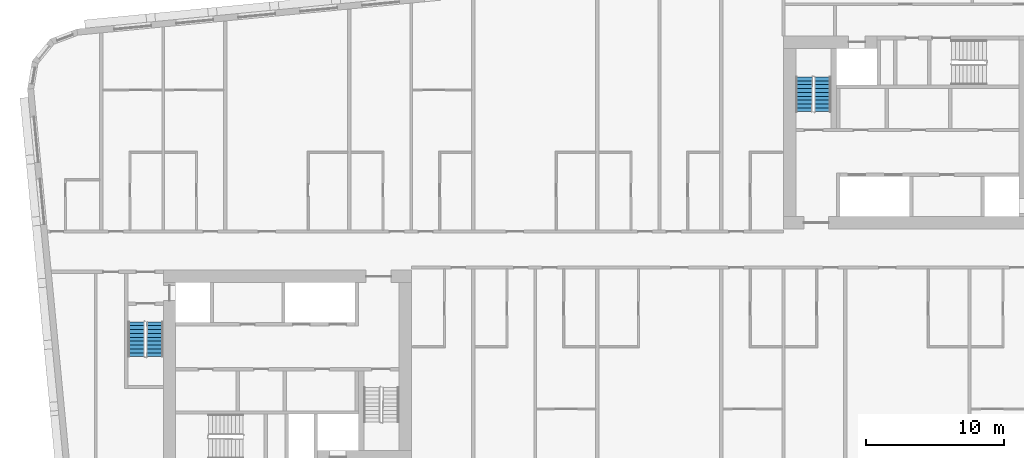
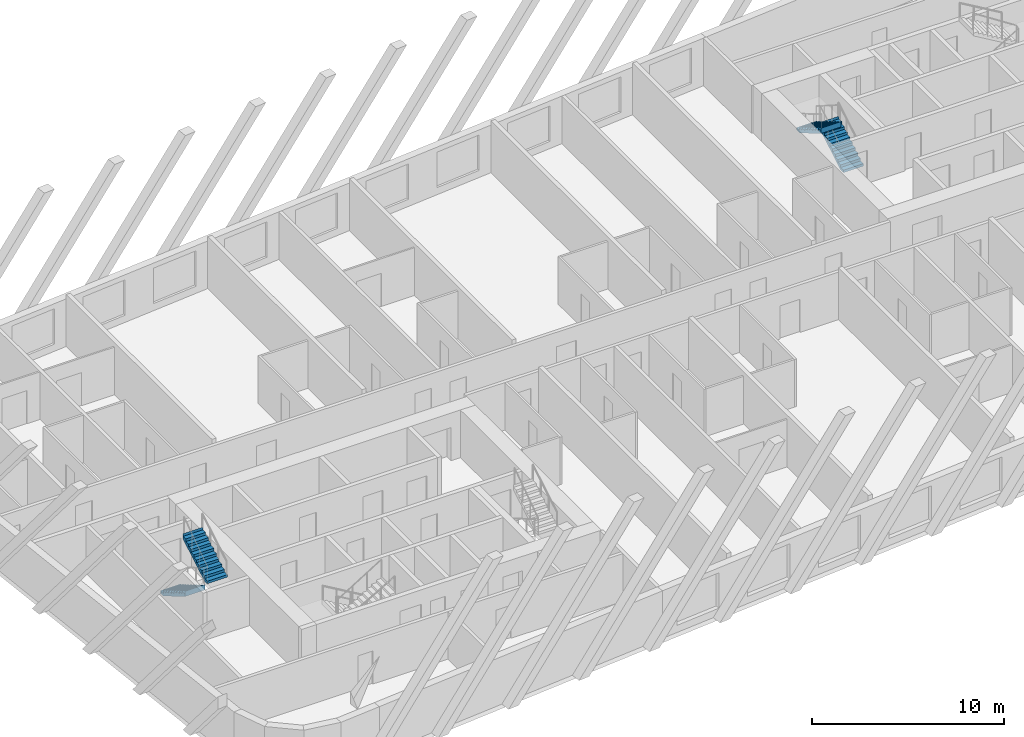
# One storey, part 10 of 13: 4 stair flights, 2 elements without a shape of their own.
"""IFC4 building model written with IfcOpenShell, lengths in metres."""

from ifc_helpers import new_model, si_unit, direction, frame, origin, place, context, subcontext, project, spatial, faceted_brep, material, type_object, element, aggregate, save


model = new_model("IFC4")

# Units and contexts
model_context = context("Model", 3, precision=1e-05, world=origin(), true_north=direction((0.0, 1.0)))
body_context = subcontext(model_context, "Body", "Model", "MODEL_VIEW")
ifc_project = project(units=[si_unit("LENGTHUNIT", "METRE"), si_unit("AREAUNIT", "SQUARE_METRE"), si_unit("VOLUMEUNIT", "CUBIC_METRE"), si_unit("PLANEANGLEUNIT", "RADIAN"), si_unit("MASSUNIT", "GRAM", prefix="KILO")], contexts=[model_context])

# Site, building, storey
site_placement = place(None, origin())
site = spatial("IfcSite", under=ifc_project, at=site_placement, CompositionType="ELEMENT")
building_placement = place(site_placement, origin())
building = spatial("IfcBuilding", under=site, at=building_placement, Name="Kajstack Hotel Tower", CompositionType="ELEMENT")
storey_placement = place(building_placement, frame((0.0, 0.0, 298.199951171875)))
storey = spatial("IfcBuildingStorey", under=building, at=storey_placement, Name="L75", CompositionType="ELEMENT", Elevation=298.199951171875)

# Stair, stair flights
ifc_material = material(Name="Concrete C40/50", Category="concrete")
stair_type = type_object("IfcStairType", Name="Exit stair 1200", PredefinedType="HALF_TURN_STAIR", material=ifc_material)
stair_1_placement = place(storey_placement, origin())
stair_1 = element("IfcStair", 1, at=stair_1_placement, inside=storey, type_object=stair_type, Name="L75 stair W1", PredefinedType="HALF_TURN_STAIR")
stair_flight_type = type_object("IfcStairFlightType", Name="Exit stair flight 1200", PredefinedType="STRAIGHT", material=ifc_material)
stair_flight_1_placement = place(storey_placement, frame((-33.449951171875, -5.25, 0.0), z_axis=(0.0, 0.0, 1.0), x_axis=(0.0, -1.0, 0.0)))
stair_flight_1 = element("IfcStairFlight", 2, at=stair_flight_1_placement, type_object=stair_flight_type, Name="W1 flight 1", NumberOfRisers=10, NumberOfTreads=9, PredefinedType="STRAIGHT", RiserHeight=0.165, TreadLength=0.28, context=body_context, shape_type="Brep", body=[
    faceted_brep([(0.295654296875, -0.60009765625, 0.0), (2.5205078125, -0.60009765625, 1.31103515625), (2.5205078125, -0.60009765625, 1.64990234375), (2.52001953125, -0.60009765625, 1.64990234375), (2.52001953125, -0.60009765625, 1.485107421875), (2.239990234375, -0.60009765625, 1.485107421875), (2.239990234375, -0.60009765625, 1.320068359375), (1.9599609375, -0.60009765625, 1.320068359375), (1.9599609375, -0.60009765625, 1.155029296875), (1.679931640625, -0.60009765625, 1.155029296875), (1.679931640625, -0.60009765625, 0.989990234375), (1.39990234375, -0.60009765625, 0.989990234375), (1.39990234375, -0.60009765625, 0.824951171875), (1.1201171875, -0.60009765625, 0.824951171875), (1.1201171875, -0.60009765625, 0.659912109375), (0.840087890625, -0.60009765625, 0.659912109375), (0.840087890625, -0.60009765625, 0.4951171875), (0.56005859375, -0.60009765625, 0.4951171875), (0.56005859375, -0.60009765625, 0.330078125), (0.280029296875, -0.60009765625, 0.330078125), (0.280029296875, -0.60009765625, 0.1650390625), (-0.00048828125, -0.60009765625, 0.1650390625), (-0.00048828125, -0.60009765625, 0.0), (-0.00048828125, 0.60009765625, 0.0), (-0.00048828125, 0.60009765625, 0.1650390625), (0.280029296875, 0.60009765625, 0.1650390625), (0.280029296875, 0.60009765625, 0.330078125), (0.56005859375, 0.60009765625, 0.330078125), (0.56005859375, 0.60009765625, 0.4951171875), (0.840087890625, 0.60009765625, 0.4951171875), (0.840087890625, 0.60009765625, 0.659912109375), (1.1201171875, 0.60009765625, 0.659912109375), (1.1201171875, 0.60009765625, 0.824951171875), (1.39990234375, 0.60009765625, 0.824951171875), (1.39990234375, 0.60009765625, 0.989990234375), (1.679931640625, 0.60009765625, 0.989990234375), (1.679931640625, 0.60009765625, 1.155029296875), (1.9599609375, 0.60009765625, 1.155029296875), (1.9599609375, 0.60009765625, 1.320068359375), (2.239990234375, 0.60009765625, 1.320068359375), (2.239990234375, 0.60009765625, 1.485107421875), (2.52001953125, 0.60009765625, 1.485107421875), (2.52001953125, 0.60009765625, 1.64990234375), (2.5205078125, 0.60009765625, 1.64990234375), (2.5205078125, 0.60009765625, 1.31103515625), (0.295654296875, 0.60009765625, 0.0), (-0.00048828125, -0.300048828125, 0.1650390625), (-0.00048828125, 0.0, 0.1650390625), (-0.00048828125, 0.300048828125, 0.1650390625), (-0.00048828125, 0.300048828125, 0.0), (-0.00048828125, 0.0, 0.0), (-0.00048828125, -0.300048828125, 0.0), (0.280029296875, -0.300048828125, 0.1650390625), (0.280029296875, 0.0, 0.1650390625), (0.280029296875, 0.300048828125, 0.1650390625), (0.280029296875, -0.300048828125, 0.330078125), (0.280029296875, 0.0, 0.330078125), (0.280029296875, 0.300048828125, 0.330078125), (0.56005859375, -0.300048828125, 0.330078125), (0.56005859375, 0.0, 0.330078125), (0.56005859375, 0.300048828125, 0.330078125), (0.56005859375, -0.300048828125, 0.4951171875), (0.56005859375, 0.0, 0.4951171875), (0.56005859375, 0.300048828125, 0.4951171875), (0.840087890625, -0.300048828125, 0.4951171875), (0.840087890625, 0.0, 0.4951171875), (0.840087890625, 0.300048828125, 0.4951171875), (0.840087890625, -0.300048828125, 0.659912109375), (0.840087890625, 0.0, 0.659912109375), (0.840087890625, 0.300048828125, 0.659912109375), (1.1201171875, -0.300048828125, 0.659912109375), (1.1201171875, 0.0, 0.659912109375), (1.1201171875, 0.300048828125, 0.659912109375), (1.1201171875, -0.300048828125, 0.824951171875), (1.1201171875, 0.0, 0.824951171875), (1.1201171875, 0.300048828125, 0.824951171875), (1.39990234375, -0.300048828125, 0.824951171875), (1.39990234375, 0.0, 0.824951171875), (1.39990234375, 0.300048828125, 0.824951171875), (1.39990234375, -0.300048828125, 0.989990234375), (1.39990234375, 0.0, 0.989990234375), (1.39990234375, 0.300048828125, 0.989990234375), (1.679931640625, -0.300048828125, 0.989990234375), (1.679931640625, 0.0, 0.989990234375), (1.679931640625, 0.300048828125, 0.989990234375), (1.679931640625, -0.300048828125, 1.155029296875), (1.679931640625, 0.0, 1.155029296875), (1.679931640625, 0.300048828125, 1.155029296875), (1.9599609375, -0.300048828125, 1.155029296875), (1.9599609375, 0.0, 1.155029296875), (1.9599609375, 0.300048828125, 1.155029296875), (1.9599609375, -0.300048828125, 1.320068359375), (1.9599609375, 0.0, 1.320068359375), (1.9599609375, 0.300048828125, 1.320068359375), (2.239990234375, -0.300048828125, 1.320068359375), (2.239990234375, 0.0, 1.320068359375), (2.239990234375, 0.300048828125, 1.320068359375), (2.239990234375, -0.300048828125, 1.485107421875), (2.239990234375, 0.0, 1.485107421875), (2.239990234375, 0.300048828125, 1.485107421875), (2.52001953125, -0.300048828125, 1.485107421875), (2.52001953125, 0.0, 1.485107421875), (2.52001953125, 0.300048828125, 1.485107421875), (2.52001953125, -0.300048828125, 1.64990234375), (2.52001953125, 0.0, 1.64990234375), (2.52001953125, 0.300048828125, 1.64990234375), (2.5205078125, -0.300048828125, 1.64990234375), (2.5205078125, 0.0, 1.64990234375), (2.5205078125, 0.300048828125, 1.64990234375), (2.5205078125, -0.300048828125, 1.31103515625), (2.5205078125, 0.0, 1.31103515625), (2.5205078125, 0.300048828125, 1.31103515625), (0.295654296875, -0.300048828125, 0.0), (0.295654296875, 0.0, 0.0), (0.295654296875, 0.300048828125, 0.0)], [[[0, 1, 2, 3, 4, 5, 6, 7, 8, 9, 10, 11, 12, 13, 14, 15, 16, 17, 18, 19, 20, 21, 22]], [[23, 24, 25, 26, 27, 28, 29, 30, 31, 32, 33, 34, 35, 36, 37, 38, 39, 40, 41, 42, 43, 44, 45]], [[21, 46, 47, 48, 24, 23, 49, 50, 51, 22]], [[20, 52, 53, 54, 25, 24, 48, 47, 46, 21]], [[19, 55, 56, 57, 26, 25, 54, 53, 52, 20]], [[18, 58, 59, 60, 27, 26, 57, 56, 55, 19]], [[17, 61, 62, 63, 28, 27, 60, 59, 58, 18]], [[16, 64, 65, 66, 29, 28, 63, 62, 61, 17]], [[15, 67, 68, 69, 30, 29, 66, 65, 64, 16]], [[14, 70, 71, 72, 31, 30, 69, 68, 67, 15]], [[13, 73, 74, 75, 32, 31, 72, 71, 70, 14]], [[12, 76, 77, 78, 33, 32, 75, 74, 73, 13]], [[11, 79, 80, 81, 34, 33, 78, 77, 76, 12]], [[10, 82, 83, 84, 35, 34, 81, 80, 79, 11]], [[9, 85, 86, 87, 36, 35, 84, 83, 82, 10]], [[8, 88, 89, 90, 37, 36, 87, 86, 85, 9]], [[7, 91, 92, 93, 38, 37, 90, 89, 88, 8]], [[6, 94, 95, 96, 39, 38, 93, 92, 91, 7]], [[5, 97, 98, 99, 40, 39, 96, 95, 94, 6]], [[4, 100, 101, 102, 41, 40, 99, 98, 97, 5]], [[3, 103, 104, 105, 42, 41, 102, 101, 100, 4]], [[2, 106, 107, 108, 43, 42, 105, 104, 103, 3]], [[1, 109, 110, 111, 44, 43, 108, 107, 106, 2]], [[0, 112, 113, 114, 45, 44, 111, 110, 109, 1]], [[22, 51, 50, 49, 23, 45, 114, 113, 112, 0]]]),
])
stair_flight_2_placement = place(storey_placement, frame((-32.10009765625, -7.77001953125, 1.650146484375), z_axis=(0.0, 0.0, 1.0), x_axis=(0.0, 1.0, 0.0)))
stair_flight_2 = element("IfcStairFlight", 3, at=stair_flight_2_placement, type_object=stair_flight_type, Name="W1 flight 2", NumberOfRisers=10, NumberOfTreads=9, PredefinedType="STRAIGHT", RiserHeight=0.165, TreadLength=0.28, context=body_context, shape_type="Brep", body=[
    faceted_brep([(0.295654296875, -0.60009765625, 0.0), (2.5205078125, -0.60009765625, 1.31103515625), (2.5205078125, -0.60009765625, 1.64990234375), (2.52001953125, -0.60009765625, 1.64990234375), (2.52001953125, -0.60009765625, 1.485107421875), (2.239990234375, -0.60009765625, 1.485107421875), (2.239990234375, -0.60009765625, 1.320068359375), (1.9599609375, -0.60009765625, 1.320068359375), (1.9599609375, -0.60009765625, 1.155029296875), (1.679931640625, -0.60009765625, 1.155029296875), (1.679931640625, -0.60009765625, 0.989990234375), (1.39990234375, -0.60009765625, 0.989990234375), (1.39990234375, -0.60009765625, 0.824951171875), (1.1201171875, -0.60009765625, 0.824951171875), (1.1201171875, -0.60009765625, 0.659912109375), (0.840087890625, -0.60009765625, 0.659912109375), (0.840087890625, -0.60009765625, 0.4951171875), (0.56005859375, -0.60009765625, 0.4951171875), (0.56005859375, -0.60009765625, 0.330078125), (0.280029296875, -0.60009765625, 0.330078125), (0.280029296875, -0.60009765625, 0.1650390625), (-0.00048828125, -0.60009765625, 0.1650390625), (-0.00048828125, -0.60009765625, 0.0), (-0.00048828125, 0.60009765625, 0.0), (-0.00048828125, 0.60009765625, 0.1650390625), (0.280029296875, 0.60009765625, 0.1650390625), (0.280029296875, 0.60009765625, 0.330078125), (0.56005859375, 0.60009765625, 0.330078125), (0.56005859375, 0.60009765625, 0.4951171875), (0.840087890625, 0.60009765625, 0.4951171875), (0.840087890625, 0.60009765625, 0.659912109375), (1.1201171875, 0.60009765625, 0.659912109375), (1.1201171875, 0.60009765625, 0.824951171875), (1.39990234375, 0.60009765625, 0.824951171875), (1.39990234375, 0.60009765625, 0.989990234375), (1.679931640625, 0.60009765625, 0.989990234375), (1.679931640625, 0.60009765625, 1.155029296875), (1.9599609375, 0.60009765625, 1.155029296875), (1.9599609375, 0.60009765625, 1.320068359375), (2.239990234375, 0.60009765625, 1.320068359375), (2.239990234375, 0.60009765625, 1.485107421875), (2.52001953125, 0.60009765625, 1.485107421875), (2.52001953125, 0.60009765625, 1.64990234375), (2.5205078125, 0.60009765625, 1.64990234375), (2.5205078125, 0.60009765625, 1.31103515625), (0.295654296875, 0.60009765625, 0.0), (-0.00048828125, -0.300048828125, 0.1650390625), (-0.00048828125, 0.0, 0.1650390625), (-0.00048828125, 0.300048828125, 0.1650390625), (-0.00048828125, 0.300048828125, 0.0), (-0.00048828125, 0.0, 0.0), (-0.00048828125, -0.300048828125, 0.0), (0.280029296875, -0.300048828125, 0.1650390625), (0.280029296875, 0.0, 0.1650390625), (0.280029296875, 0.300048828125, 0.1650390625), (0.280029296875, -0.300048828125, 0.330078125), (0.280029296875, 0.0, 0.330078125), (0.280029296875, 0.300048828125, 0.330078125), (0.56005859375, -0.300048828125, 0.330078125), (0.56005859375, 0.0, 0.330078125), (0.56005859375, 0.300048828125, 0.330078125), (0.56005859375, -0.300048828125, 0.4951171875), (0.56005859375, 0.0, 0.4951171875), (0.56005859375, 0.300048828125, 0.4951171875), (0.840087890625, -0.300048828125, 0.4951171875), (0.840087890625, 0.0, 0.4951171875), (0.840087890625, 0.300048828125, 0.4951171875), (0.840087890625, -0.300048828125, 0.659912109375), (0.840087890625, 0.0, 0.659912109375), (0.840087890625, 0.300048828125, 0.659912109375), (1.1201171875, -0.300048828125, 0.659912109375), (1.1201171875, 0.0, 0.659912109375), (1.1201171875, 0.300048828125, 0.659912109375), (1.1201171875, -0.300048828125, 0.824951171875), (1.1201171875, 0.0, 0.824951171875), (1.1201171875, 0.300048828125, 0.824951171875), (1.39990234375, -0.300048828125, 0.824951171875), (1.39990234375, 0.0, 0.824951171875), (1.39990234375, 0.300048828125, 0.824951171875), (1.39990234375, -0.300048828125, 0.989990234375), (1.39990234375, 0.0, 0.989990234375), (1.39990234375, 0.300048828125, 0.989990234375), (1.679931640625, -0.300048828125, 0.989990234375), (1.679931640625, 0.0, 0.989990234375), (1.679931640625, 0.300048828125, 0.989990234375), (1.679931640625, -0.300048828125, 1.155029296875), (1.679931640625, 0.0, 1.155029296875), (1.679931640625, 0.300048828125, 1.155029296875), (1.9599609375, -0.300048828125, 1.155029296875), (1.9599609375, 0.0, 1.155029296875), (1.9599609375, 0.300048828125, 1.155029296875), (1.9599609375, -0.300048828125, 1.320068359375), (1.9599609375, 0.0, 1.320068359375), (1.9599609375, 0.300048828125, 1.320068359375), (2.239990234375, -0.300048828125, 1.320068359375), (2.239990234375, 0.0, 1.320068359375), (2.239990234375, 0.300048828125, 1.320068359375), (2.239990234375, -0.300048828125, 1.485107421875), (2.239990234375, 0.0, 1.485107421875), (2.239990234375, 0.300048828125, 1.485107421875), (2.52001953125, -0.300048828125, 1.485107421875), (2.52001953125, 0.0, 1.485107421875), (2.52001953125, 0.300048828125, 1.485107421875), (2.52001953125, -0.300048828125, 1.64990234375), (2.52001953125, 0.0, 1.64990234375), (2.52001953125, 0.300048828125, 1.64990234375), (2.5205078125, -0.300048828125, 1.64990234375), (2.5205078125, 0.0, 1.64990234375), (2.5205078125, 0.300048828125, 1.64990234375), (2.5205078125, -0.300048828125, 1.31103515625), (2.5205078125, 0.0, 1.31103515625), (2.5205078125, 0.300048828125, 1.31103515625), (0.295654296875, -0.300048828125, 0.0), (0.295654296875, 0.0, 0.0), (0.295654296875, 0.300048828125, 0.0)], [[[0, 1, 2, 3, 4, 5, 6, 7, 8, 9, 10, 11, 12, 13, 14, 15, 16, 17, 18, 19, 20, 21, 22]], [[23, 24, 25, 26, 27, 28, 29, 30, 31, 32, 33, 34, 35, 36, 37, 38, 39, 40, 41, 42, 43, 44, 45]], [[21, 46, 47, 48, 24, 23, 49, 50, 51, 22]], [[20, 52, 53, 54, 25, 24, 48, 47, 46, 21]], [[19, 55, 56, 57, 26, 25, 54, 53, 52, 20]], [[18, 58, 59, 60, 27, 26, 57, 56, 55, 19]], [[17, 61, 62, 63, 28, 27, 60, 59, 58, 18]], [[16, 64, 65, 66, 29, 28, 63, 62, 61, 17]], [[15, 67, 68, 69, 30, 29, 66, 65, 64, 16]], [[14, 70, 71, 72, 31, 30, 69, 68, 67, 15]], [[13, 73, 74, 75, 32, 31, 72, 71, 70, 14]], [[12, 76, 77, 78, 33, 32, 75, 74, 73, 13]], [[11, 79, 80, 81, 34, 33, 78, 77, 76, 12]], [[10, 82, 83, 84, 35, 34, 81, 80, 79, 11]], [[9, 85, 86, 87, 36, 35, 84, 83, 82, 10]], [[8, 88, 89, 90, 37, 36, 87, 86, 85, 9]], [[7, 91, 92, 93, 38, 37, 90, 89, 88, 8]], [[6, 94, 95, 96, 39, 38, 93, 92, 91, 7]], [[5, 97, 98, 99, 40, 39, 96, 95, 94, 6]], [[4, 100, 101, 102, 41, 40, 99, 98, 97, 5]], [[3, 103, 104, 105, 42, 41, 102, 101, 100, 4]], [[2, 106, 107, 108, 43, 42, 105, 104, 103, 3]], [[1, 109, 110, 111, 44, 43, 108, 107, 106, 2]], [[0, 112, 113, 114, 45, 44, 111, 110, 109, 1]], [[22, 51, 50, 49, 23, 45, 114, 113, 112, 0]]]),
])
aggregate(stair_1, [stair_flight_1, stair_flight_2])

stair_2_placement = place(storey_placement, origin())
stair_2 = element("IfcStair", 4, at=stair_2_placement, inside=storey, type_object=stair_type, Name="L75 stair E2", PredefinedType="HALF_TURN_STAIR")
stair_flight_3_placement = place(storey_placement, frame((16.35009765625, 10.0, 0.0), z_axis=(0.0, 0.0, 1.0), x_axis=(0.0, 1.0, 0.0)))
stair_flight_3 = element("IfcStairFlight", 5, at=stair_flight_3_placement, type_object=stair_flight_type, Name="E2 flight 1", NumberOfRisers=10, NumberOfTreads=9, PredefinedType="STRAIGHT", RiserHeight=0.165, TreadLength=0.28, context=body_context, shape_type="Brep", body=[
    faceted_brep([(0.295654296875, -0.60009765625, 0.0), (2.5205078125, -0.60009765625, 1.31103515625), (2.5205078125, -0.60009765625, 1.64990234375), (2.52001953125, -0.60009765625, 1.64990234375), (2.52001953125, -0.60009765625, 1.485107421875), (2.239990234375, -0.60009765625, 1.485107421875), (2.239990234375, -0.60009765625, 1.320068359375), (1.9599609375, -0.60009765625, 1.320068359375), (1.9599609375, -0.60009765625, 1.155029296875), (1.679931640625, -0.60009765625, 1.155029296875), (1.679931640625, -0.60009765625, 0.989990234375), (1.39990234375, -0.60009765625, 0.989990234375), (1.39990234375, -0.60009765625, 0.824951171875), (1.1201171875, -0.60009765625, 0.824951171875), (1.1201171875, -0.60009765625, 0.659912109375), (0.840087890625, -0.60009765625, 0.659912109375), (0.840087890625, -0.60009765625, 0.4951171875), (0.56005859375, -0.60009765625, 0.4951171875), (0.56005859375, -0.60009765625, 0.330078125), (0.280029296875, -0.60009765625, 0.330078125), (0.280029296875, -0.60009765625, 0.1650390625), (-0.00048828125, -0.60009765625, 0.1650390625), (-0.00048828125, -0.60009765625, 0.0), (-0.00048828125, 0.60009765625, 0.0), (-0.00048828125, 0.60009765625, 0.1650390625), (0.280029296875, 0.60009765625, 0.1650390625), (0.280029296875, 0.60009765625, 0.330078125), (0.56005859375, 0.60009765625, 0.330078125), (0.56005859375, 0.60009765625, 0.4951171875), (0.840087890625, 0.60009765625, 0.4951171875), (0.840087890625, 0.60009765625, 0.659912109375), (1.1201171875, 0.60009765625, 0.659912109375), (1.1201171875, 0.60009765625, 0.824951171875), (1.39990234375, 0.60009765625, 0.824951171875), (1.39990234375, 0.60009765625, 0.989990234375), (1.679931640625, 0.60009765625, 0.989990234375), (1.679931640625, 0.60009765625, 1.155029296875), (1.9599609375, 0.60009765625, 1.155029296875), (1.9599609375, 0.60009765625, 1.320068359375), (2.239990234375, 0.60009765625, 1.320068359375), (2.239990234375, 0.60009765625, 1.485107421875), (2.52001953125, 0.60009765625, 1.485107421875), (2.52001953125, 0.60009765625, 1.64990234375), (2.5205078125, 0.60009765625, 1.64990234375), (2.5205078125, 0.60009765625, 1.31103515625), (0.295654296875, 0.60009765625, 0.0), (-0.00048828125, -0.300048828125, 0.1650390625), (-0.00048828125, 0.0, 0.1650390625), (-0.00048828125, 0.300048828125, 0.1650390625), (-0.00048828125, 0.300048828125, 0.0), (-0.00048828125, 0.0, 0.0), (-0.00048828125, -0.300048828125, 0.0), (0.280029296875, -0.300048828125, 0.1650390625), (0.280029296875, 0.0, 0.1650390625), (0.280029296875, 0.300048828125, 0.1650390625), (0.280029296875, -0.300048828125, 0.330078125), (0.280029296875, 0.0, 0.330078125), (0.280029296875, 0.300048828125, 0.330078125), (0.56005859375, -0.300048828125, 0.330078125), (0.56005859375, 0.0, 0.330078125), (0.56005859375, 0.300048828125, 0.330078125), (0.56005859375, -0.300048828125, 0.4951171875), (0.56005859375, 0.0, 0.4951171875), (0.56005859375, 0.300048828125, 0.4951171875), (0.840087890625, -0.300048828125, 0.4951171875), (0.840087890625, 0.0, 0.4951171875), (0.840087890625, 0.300048828125, 0.4951171875), (0.840087890625, -0.300048828125, 0.659912109375), (0.840087890625, 0.0, 0.659912109375), (0.840087890625, 0.300048828125, 0.659912109375), (1.1201171875, -0.300048828125, 0.659912109375), (1.1201171875, 0.0, 0.659912109375), (1.1201171875, 0.300048828125, 0.659912109375), (1.1201171875, -0.300048828125, 0.824951171875), (1.1201171875, 0.0, 0.824951171875), (1.1201171875, 0.300048828125, 0.824951171875), (1.39990234375, -0.300048828125, 0.824951171875), (1.39990234375, 0.0, 0.824951171875), (1.39990234375, 0.300048828125, 0.824951171875), (1.39990234375, -0.300048828125, 0.989990234375), (1.39990234375, 0.0, 0.989990234375), (1.39990234375, 0.300048828125, 0.989990234375), (1.679931640625, -0.300048828125, 0.989990234375), (1.679931640625, 0.0, 0.989990234375), (1.679931640625, 0.300048828125, 0.989990234375), (1.679931640625, -0.300048828125, 1.155029296875), (1.679931640625, 0.0, 1.155029296875), (1.679931640625, 0.300048828125, 1.155029296875), (1.9599609375, -0.300048828125, 1.155029296875), (1.9599609375, 0.0, 1.155029296875), (1.9599609375, 0.300048828125, 1.155029296875), (1.9599609375, -0.300048828125, 1.320068359375), (1.9599609375, 0.0, 1.320068359375), (1.9599609375, 0.300048828125, 1.320068359375), (2.239990234375, -0.300048828125, 1.320068359375), (2.239990234375, 0.0, 1.320068359375), (2.239990234375, 0.300048828125, 1.320068359375), (2.239990234375, -0.300048828125, 1.485107421875), (2.239990234375, 0.0, 1.485107421875), (2.239990234375, 0.300048828125, 1.485107421875), (2.52001953125, -0.300048828125, 1.485107421875), (2.52001953125, 0.0, 1.485107421875), (2.52001953125, 0.300048828125, 1.485107421875), (2.52001953125, -0.300048828125, 1.64990234375), (2.52001953125, 0.0, 1.64990234375), (2.52001953125, 0.300048828125, 1.64990234375), (2.5205078125, -0.300048828125, 1.64990234375), (2.5205078125, 0.0, 1.64990234375), (2.5205078125, 0.300048828125, 1.64990234375), (2.5205078125, -0.300048828125, 1.31103515625), (2.5205078125, 0.0, 1.31103515625), (2.5205078125, 0.300048828125, 1.31103515625), (0.295654296875, -0.300048828125, 0.0), (0.295654296875, 0.0, 0.0), (0.295654296875, 0.300048828125, 0.0)], [[[0, 1, 2, 3, 4, 5, 6, 7, 8, 9, 10, 11, 12, 13, 14, 15, 16, 17, 18, 19, 20, 21, 22]], [[23, 24, 25, 26, 27, 28, 29, 30, 31, 32, 33, 34, 35, 36, 37, 38, 39, 40, 41, 42, 43, 44, 45]], [[21, 46, 47, 48, 24, 23, 49, 50, 51, 22]], [[20, 52, 53, 54, 25, 24, 48, 47, 46, 21]], [[19, 55, 56, 57, 26, 25, 54, 53, 52, 20]], [[18, 58, 59, 60, 27, 26, 57, 56, 55, 19]], [[17, 61, 62, 63, 28, 27, 60, 59, 58, 18]], [[16, 64, 65, 66, 29, 28, 63, 62, 61, 17]], [[15, 67, 68, 69, 30, 29, 66, 65, 64, 16]], [[14, 70, 71, 72, 31, 30, 69, 68, 67, 15]], [[13, 73, 74, 75, 32, 31, 72, 71, 70, 14]], [[12, 76, 77, 78, 33, 32, 75, 74, 73, 13]], [[11, 79, 80, 81, 34, 33, 78, 77, 76, 12]], [[10, 82, 83, 84, 35, 34, 81, 80, 79, 11]], [[9, 85, 86, 87, 36, 35, 84, 83, 82, 10]], [[8, 88, 89, 90, 37, 36, 87, 86, 85, 9]], [[7, 91, 92, 93, 38, 37, 90, 89, 88, 8]], [[6, 94, 95, 96, 39, 38, 93, 92, 91, 7]], [[5, 97, 98, 99, 40, 39, 96, 95, 94, 6]], [[4, 100, 101, 102, 41, 40, 99, 98, 97, 5]], [[3, 103, 104, 105, 42, 41, 102, 101, 100, 4]], [[2, 106, 107, 108, 43, 42, 105, 104, 103, 3]], [[1, 109, 110, 111, 44, 43, 108, 107, 106, 2]], [[0, 112, 113, 114, 45, 44, 111, 110, 109, 1]], [[22, 51, 50, 49, 23, 45, 114, 113, 112, 0]]]),
])
stair_flight_4_placement = place(storey_placement, frame((15.0, 12.52001953125, 1.650146484375), z_axis=(0.0, 0.0, 1.0), x_axis=(0.0, -1.0, 0.0)))
stair_flight_4 = element("IfcStairFlight", 6, at=stair_flight_4_placement, type_object=stair_flight_type, Name="E2 flight 2", NumberOfRisers=10, NumberOfTreads=9, PredefinedType="STRAIGHT", RiserHeight=0.165, TreadLength=0.28, context=body_context, shape_type="Brep", body=[
    faceted_brep([(0.295654296875, -0.60009765625, 0.0), (2.5205078125, -0.60009765625, 1.31103515625), (2.5205078125, -0.60009765625, 1.64990234375), (2.52001953125, -0.60009765625, 1.64990234375), (2.52001953125, -0.60009765625, 1.485107421875), (2.239990234375, -0.60009765625, 1.485107421875), (2.239990234375, -0.60009765625, 1.320068359375), (1.9599609375, -0.60009765625, 1.320068359375), (1.9599609375, -0.60009765625, 1.155029296875), (1.679931640625, -0.60009765625, 1.155029296875), (1.679931640625, -0.60009765625, 0.989990234375), (1.39990234375, -0.60009765625, 0.989990234375), (1.39990234375, -0.60009765625, 0.824951171875), (1.1201171875, -0.60009765625, 0.824951171875), (1.1201171875, -0.60009765625, 0.659912109375), (0.840087890625, -0.60009765625, 0.659912109375), (0.840087890625, -0.60009765625, 0.4951171875), (0.56005859375, -0.60009765625, 0.4951171875), (0.56005859375, -0.60009765625, 0.330078125), (0.280029296875, -0.60009765625, 0.330078125), (0.280029296875, -0.60009765625, 0.1650390625), (-0.00048828125, -0.60009765625, 0.1650390625), (-0.00048828125, -0.60009765625, 0.0), (-0.00048828125, 0.60009765625, 0.0), (-0.00048828125, 0.60009765625, 0.1650390625), (0.280029296875, 0.60009765625, 0.1650390625), (0.280029296875, 0.60009765625, 0.330078125), (0.56005859375, 0.60009765625, 0.330078125), (0.56005859375, 0.60009765625, 0.4951171875), (0.840087890625, 0.60009765625, 0.4951171875), (0.840087890625, 0.60009765625, 0.659912109375), (1.1201171875, 0.60009765625, 0.659912109375), (1.1201171875, 0.60009765625, 0.824951171875), (1.39990234375, 0.60009765625, 0.824951171875), (1.39990234375, 0.60009765625, 0.989990234375), (1.679931640625, 0.60009765625, 0.989990234375), (1.679931640625, 0.60009765625, 1.155029296875), (1.9599609375, 0.60009765625, 1.155029296875), (1.9599609375, 0.60009765625, 1.320068359375), (2.239990234375, 0.60009765625, 1.320068359375), (2.239990234375, 0.60009765625, 1.485107421875), (2.52001953125, 0.60009765625, 1.485107421875), (2.52001953125, 0.60009765625, 1.64990234375), (2.5205078125, 0.60009765625, 1.64990234375), (2.5205078125, 0.60009765625, 1.31103515625), (0.295654296875, 0.60009765625, 0.0), (-0.00048828125, -0.300048828125, 0.1650390625), (-0.00048828125, 0.0, 0.1650390625), (-0.00048828125, 0.300048828125, 0.1650390625), (-0.00048828125, 0.300048828125, 0.0), (-0.00048828125, 0.0, 0.0), (-0.00048828125, -0.300048828125, 0.0), (0.280029296875, -0.300048828125, 0.1650390625), (0.280029296875, 0.0, 0.1650390625), (0.280029296875, 0.300048828125, 0.1650390625), (0.280029296875, -0.300048828125, 0.330078125), (0.280029296875, 0.0, 0.330078125), (0.280029296875, 0.300048828125, 0.330078125), (0.56005859375, -0.300048828125, 0.330078125), (0.56005859375, 0.0, 0.330078125), (0.56005859375, 0.300048828125, 0.330078125), (0.56005859375, -0.300048828125, 0.4951171875), (0.56005859375, 0.0, 0.4951171875), (0.56005859375, 0.300048828125, 0.4951171875), (0.840087890625, -0.300048828125, 0.4951171875), (0.840087890625, 0.0, 0.4951171875), (0.840087890625, 0.300048828125, 0.4951171875), (0.840087890625, -0.300048828125, 0.659912109375), (0.840087890625, 0.0, 0.659912109375), (0.840087890625, 0.300048828125, 0.659912109375), (1.1201171875, -0.300048828125, 0.659912109375), (1.1201171875, 0.0, 0.659912109375), (1.1201171875, 0.300048828125, 0.659912109375), (1.1201171875, -0.300048828125, 0.824951171875), (1.1201171875, 0.0, 0.824951171875), (1.1201171875, 0.300048828125, 0.824951171875), (1.39990234375, -0.300048828125, 0.824951171875), (1.39990234375, 0.0, 0.824951171875), (1.39990234375, 0.300048828125, 0.824951171875), (1.39990234375, -0.300048828125, 0.989990234375), (1.39990234375, 0.0, 0.989990234375), (1.39990234375, 0.300048828125, 0.989990234375), (1.679931640625, -0.300048828125, 0.989990234375), (1.679931640625, 0.0, 0.989990234375), (1.679931640625, 0.300048828125, 0.989990234375), (1.679931640625, -0.300048828125, 1.155029296875), (1.679931640625, 0.0, 1.155029296875), (1.679931640625, 0.300048828125, 1.155029296875), (1.9599609375, -0.300048828125, 1.155029296875), (1.9599609375, 0.0, 1.155029296875), (1.9599609375, 0.300048828125, 1.155029296875), (1.9599609375, -0.300048828125, 1.320068359375), (1.9599609375, 0.0, 1.320068359375), (1.9599609375, 0.300048828125, 1.320068359375), (2.239990234375, -0.300048828125, 1.320068359375), (2.239990234375, 0.0, 1.320068359375), (2.239990234375, 0.300048828125, 1.320068359375), (2.239990234375, -0.300048828125, 1.485107421875), (2.239990234375, 0.0, 1.485107421875), (2.239990234375, 0.300048828125, 1.485107421875), (2.52001953125, -0.300048828125, 1.485107421875), (2.52001953125, 0.0, 1.485107421875), (2.52001953125, 0.300048828125, 1.485107421875), (2.52001953125, -0.300048828125, 1.64990234375), (2.52001953125, 0.0, 1.64990234375), (2.52001953125, 0.300048828125, 1.64990234375), (2.5205078125, -0.300048828125, 1.64990234375), (2.5205078125, 0.0, 1.64990234375), (2.5205078125, 0.300048828125, 1.64990234375), (2.5205078125, -0.300048828125, 1.31103515625), (2.5205078125, 0.0, 1.31103515625), (2.5205078125, 0.300048828125, 1.31103515625), (0.295654296875, -0.300048828125, 0.0), (0.295654296875, 0.0, 0.0), (0.295654296875, 0.300048828125, 0.0)], [[[0, 1, 2, 3, 4, 5, 6, 7, 8, 9, 10, 11, 12, 13, 14, 15, 16, 17, 18, 19, 20, 21, 22]], [[23, 24, 25, 26, 27, 28, 29, 30, 31, 32, 33, 34, 35, 36, 37, 38, 39, 40, 41, 42, 43, 44, 45]], [[21, 46, 47, 48, 24, 23, 49, 50, 51, 22]], [[20, 52, 53, 54, 25, 24, 48, 47, 46, 21]], [[19, 55, 56, 57, 26, 25, 54, 53, 52, 20]], [[18, 58, 59, 60, 27, 26, 57, 56, 55, 19]], [[17, 61, 62, 63, 28, 27, 60, 59, 58, 18]], [[16, 64, 65, 66, 29, 28, 63, 62, 61, 17]], [[15, 67, 68, 69, 30, 29, 66, 65, 64, 16]], [[14, 70, 71, 72, 31, 30, 69, 68, 67, 15]], [[13, 73, 74, 75, 32, 31, 72, 71, 70, 14]], [[12, 76, 77, 78, 33, 32, 75, 74, 73, 13]], [[11, 79, 80, 81, 34, 33, 78, 77, 76, 12]], [[10, 82, 83, 84, 35, 34, 81, 80, 79, 11]], [[9, 85, 86, 87, 36, 35, 84, 83, 82, 10]], [[8, 88, 89, 90, 37, 36, 87, 86, 85, 9]], [[7, 91, 92, 93, 38, 37, 90, 89, 88, 8]], [[6, 94, 95, 96, 39, 38, 93, 92, 91, 7]], [[5, 97, 98, 99, 40, 39, 96, 95, 94, 6]], [[4, 100, 101, 102, 41, 40, 99, 98, 97, 5]], [[3, 103, 104, 105, 42, 41, 102, 101, 100, 4]], [[2, 106, 107, 108, 43, 42, 105, 104, 103, 3]], [[1, 109, 110, 111, 44, 43, 108, 107, 106, 2]], [[0, 112, 113, 114, 45, 44, 111, 110, 109, 1]], [[22, 51, 50, 49, 23, 45, 114, 113, 112, 0]]]),
])
aggregate(stair_2, [stair_flight_3, stair_flight_4])

save(model, "model.ifc")
